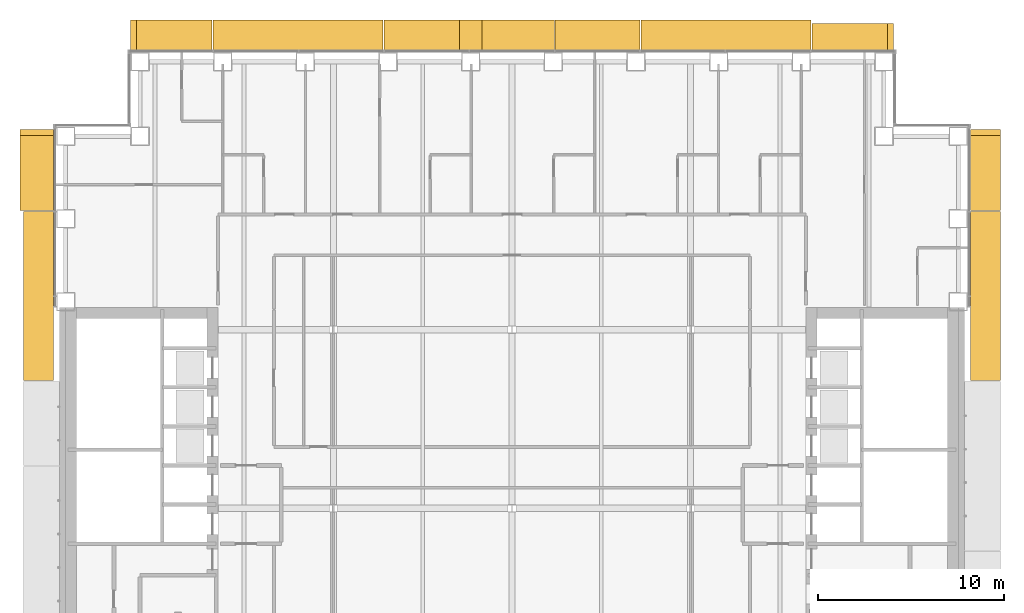
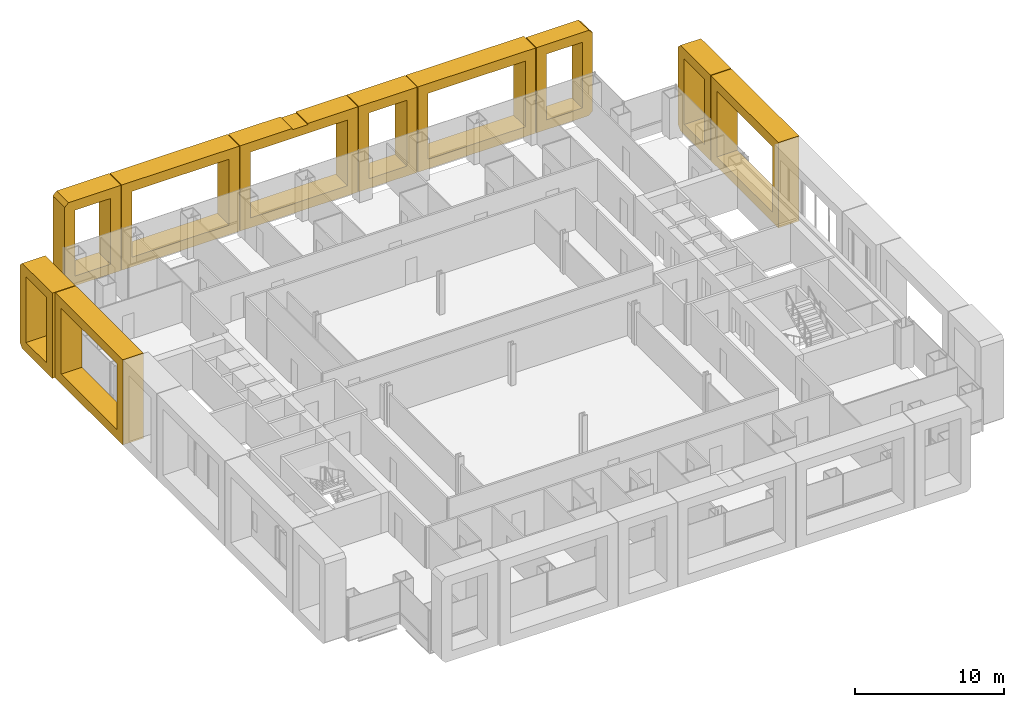
# One storey, part 24 of 25: 10 coverings.
"""IFC4 building model written with IfcOpenShell, lengths in metres."""

from ifc_helpers import new_model, si_unit, direction, frame, origin, place, context, subcontext, project, spatial, polyline, outline, extrude, material, type_object, element, save


model = new_model("IFC4")

# Units and contexts
model_context = context("Model", 3, precision=1e-05, world=origin(), true_north=direction((0.0, 1.0)))
body_context = subcontext(model_context, "Body", "Model", "MODEL_VIEW")
ifc_project = project(units=[si_unit("LENGTHUNIT", "METRE"), si_unit("AREAUNIT", "SQUARE_METRE"), si_unit("VOLUMEUNIT", "CUBIC_METRE"), si_unit("PLANEANGLEUNIT", "RADIAN"), si_unit("MASSUNIT", "GRAM", prefix="KILO")], contexts=[model_context])

# Site, building, storey
site_placement = place(None, origin())
site = spatial("IfcSite", under=ifc_project, at=site_placement, CompositionType="ELEMENT")
building_placement = place(site_placement, origin())
building = spatial("IfcBuilding", under=site, at=building_placement, Name="Cobrizo Arcos Hotel Tower", CompositionType="ELEMENT")
storey_placement = place(building_placement, frame((0.0, 0.0, 46.0)))
storey = spatial("IfcBuildingStorey", under=building, at=storey_placement, Name="L09", CompositionType="ELEMENT", Elevation=46.0)

# Coverings
ifc_material = material(Name="Aluminium 6063-T6 anodised bronze", Category="aluminium")
covering_type_1 = type_object("IfcCoveringType", Name="FIN-F 1400", PredefinedType="CLADDING", material=ifc_material)
covering_1_placement = place(storey_placement, frame((20.5, 24.64990234375, 0.0), z_axis=(0.0, 1.0, 0.0), x_axis=(-1.0, 0.0, 0.0)))
element("IfcCovering", 1, at=covering_1_placement, inside=storey, type_object=covering_type_1, Name="Fin frame 1", PredefinedType="CLADDING", context=body_context, shape_type="SweptSolid", body=[
    extrude(outline(polyline([(0.0, 0.300048828125), (0.300048828125, 0.0), (4.375, 0.0), (4.375, 7.0), (0.300048828125, 7.0), (0.0, 6.699951171875), (0.0, 0.300048828125)]), holes=[polyline([(3.574951171875, 0.800048828125), (0.800048828125, 0.800048828125), (0.800048828125, 6.199951171875), (3.574951171875, 6.199951171875), (3.574951171875, 0.800048828125)])]), origin(), (0.0, 0.0, 1.0), 1.400146484375),
])
covering_type_2 = type_object("IfcCoveringType", Name="FIN-F 1600", PredefinedType="CLADDING", material=ifc_material)
covering_2_placement = place(storey_placement, frame((16.074951171875, 24.64990234375, 0.0), z_axis=(0.0, 1.0, 0.0), x_axis=(-1.0, 0.0, 0.0)))
element("IfcCovering", 2, at=covering_2_placement, inside=storey, type_object=covering_type_2, Name="Fin frame 2", PredefinedType="CLADDING", context=body_context, shape_type="SweptSolid", body=[
    extrude(outline(polyline([(0.0, 7.0), (0.0, 0.0), (9.14990234375, 0.0), (9.14990234375, 7.0), (0.0, 7.0)]), holes=[polyline([(8.35009765625, 0.800048828125), (0.800048828125, 0.800048828125), (0.800048828125, 6.199951171875), (8.35009765625, 6.199951171875), (8.35009765625, 0.800048828125)])]), origin(), (0.0, 0.0, 1.0), 1.60009765625),
])
covering_3_placement = place(storey_placement, frame((6.875, 24.64990234375, 0.0), z_axis=(0.0, 1.0, 0.0), x_axis=(-1.0, 0.0, 0.0)))
element("IfcCovering", 3, at=covering_3_placement, inside=storey, type_object=covering_type_2, Name="Fin frame 3", PredefinedType="CLADDING", context=body_context, shape_type="SweptSolid", body=[
    extrude(outline(polyline([(0.0, 7.0), (0.0, 0.0), (4.550048828125, 0.0), (4.550048828125, 7.0), (0.0, 7.0)]), holes=[polyline([(3.75, 0.800048828125), (0.800048828125, 0.800048828125), (0.800048828125, 6.199951171875), (3.75, 6.199951171875), (3.75, 0.800048828125)])]), origin(), (0.0, 0.0, 1.0), 1.60009765625),
])
covering_4_placement = place(storey_placement, frame((2.27490234375, 24.64990234375, 0.0), z_axis=(0.0, 1.0, 0.0), x_axis=(-1.0, 0.0, 0.0)))
element("IfcCovering", 4, at=covering_4_placement, inside=storey, type_object=covering_type_2, Name="Fin frame 4", PredefinedType="CLADDING", context=body_context, shape_type="SweptSolid", body=[
    extrude(outline(polyline([(9.14990234375, 7.0), (5.09912109375, 7.0), (5.09912109375, 6.89794921875), (3.895263671875, 6.89794921875), (3.895263671875, 7.0), (0.0, 7.0), (0.0, 0.0), (9.14990234375, 0.0), (9.14990234375, 7.0)]), holes=[polyline([(8.35009765625, 0.800048828125), (0.800048828125, 0.800048828125), (0.800048828125, 6.199951171875), (8.35009765625, 6.199951171875), (8.35009765625, 0.800048828125)])]), origin(), (0.0, 0.0, 1.0), 1.60009765625),
])
covering_5_placement = place(storey_placement, frame((-6.925048828125, 24.64990234375, 0.0), z_axis=(0.0, 1.0, 0.0), x_axis=(-1.0, 0.0, 0.0)))
element("IfcCovering", 5, at=covering_5_placement, inside=storey, type_object=covering_type_2, Name="Fin frame 5", PredefinedType="CLADDING", context=body_context, shape_type="SweptSolid", body=[
    extrude(outline(polyline([(0.0, 7.0), (0.0, 0.0), (9.14990234375, 0.0), (9.14990234375, 7.0), (0.0, 7.0)]), holes=[polyline([(8.35009765625, 0.800048828125), (0.800048828125, 0.800048828125), (0.800048828125, 6.199951171875), (8.35009765625, 6.199951171875), (8.35009765625, 0.800048828125)])]), origin(), (0.0, 0.0, 1.0), 1.60009765625),
])
covering_6_placement = place(storey_placement, frame((-16.125, 24.64990234375, 0.0), z_axis=(0.0, 1.0, 0.0), x_axis=(-1.0, 0.0, 0.0)))
element("IfcCovering", 6, at=covering_6_placement, inside=storey, type_object=covering_type_2, Name="Fin frame 6", PredefinedType="CLADDING", context=body_context, shape_type="SweptSolid", body=[
    extrude(outline(polyline([(0.0, 7.0), (0.0, 0.0), (4.074951171875, 0.0), (4.375, 0.300048828125), (4.375, 6.699951171875), (4.074951171875, 7.0), (0.0, 7.0)]), holes=[polyline([(3.574951171875, 0.800048828125), (0.800048828125, 0.800048828125), (0.800048828125, 6.199951171875), (3.574951171875, 6.199951171875), (3.574951171875, 0.800048828125)])]), origin(), (0.0, 0.0, 1.0), 1.60009765625),
])
covering_7_placement = place(storey_placement, frame((24.64990234375, 6.875, 0.0), z_axis=(1.0, 0.0, 0.0), x_axis=(0.0, 1.0, 0.0)))
element("IfcCovering", 7, at=covering_7_placement, inside=storey, type_object=covering_type_2, Name="Fin frame 25", PredefinedType="CLADDING", context=body_context, shape_type="SweptSolid", body=[
    extrude(outline(polyline([(0.0, 7.0), (0.0, 0.0), (9.083251953125, 0.0), (9.083251953125, 7.0), (0.0, 7.0)]), holes=[polyline([(8.283203125, 0.800048828125), (0.800048828125, 0.800048828125), (0.800048828125, 6.199951171875), (8.283203125, 6.199951171875), (8.283203125, 0.800048828125)])]), origin(), (0.0, 0.0, 1.0), 1.60009765625),
])
covering_8_placement = place(storey_placement, frame((24.64990234375, 16.00830078125, 0.0), z_axis=(1.0, 0.0, 0.0), x_axis=(0.0, 1.0, 0.0)))
element("IfcCovering", 8, at=covering_8_placement, inside=storey, type_object=covering_type_2, Name="Fin frame 26", PredefinedType="CLADDING", context=body_context, shape_type="SweptSolid", body=[
    extrude(outline(polyline([(0.0, 7.0), (0.0, 0.0), (4.041748046875, 0.0), (4.341796875, 0.300048828125), (4.341796875, 6.699951171875), (4.041748046875, 7.0), (0.0, 7.0)]), holes=[polyline([(3.541748046875, 0.800048828125), (0.800048828125, 0.800048828125), (0.800048828125, 6.199951171875), (3.541748046875, 6.199951171875), (3.541748046875, 0.800048828125)])]), origin(), (0.0, 0.0, 1.0), 1.60009765625),
])
covering_9_placement = place(storey_placement, frame((-24.64990234375, 15.958251953125, 0.0), z_axis=(-1.0, 0.0, 0.0), x_axis=(0.0, -1.0, 0.0)))
element("IfcCovering", 9, at=covering_9_placement, inside=storey, type_object=covering_type_2, Name="Fin frame 64", PredefinedType="CLADDING", context=body_context, shape_type="SweptSolid", body=[
    extrude(outline(polyline([(0.0, 7.0), (0.0, 0.0), (9.083251953125, 0.0), (9.083251953125, 7.0), (0.0, 7.0)]), holes=[polyline([(8.283203125, 0.800048828125), (0.800048828125, 0.800048828125), (0.800048828125, 6.199951171875), (8.283203125, 6.199951171875), (8.283203125, 0.800048828125)])]), origin(), (0.0, 0.0, 1.0), 1.60009765625),
])
covering_type_3 = type_object("IfcCoveringType", Name="FIN-F 1800", PredefinedType="CLADDING", material=ifc_material)
covering_10_placement = place(storey_placement, frame((-24.64990234375, 20.35009765625, 0.0), z_axis=(-1.0, 0.0, 0.0), x_axis=(0.0, -1.0, 0.0)))
element("IfcCovering", 10, at=covering_10_placement, inside=storey, type_object=covering_type_3, Name="Fin frame 63", PredefinedType="CLADDING", context=body_context, shape_type="SweptSolid", body=[
    extrude(outline(polyline([(0.0, 0.300048828125), (0.300048828125, 0.0), (4.341796875, 0.0), (4.341796875, 7.0), (0.300048828125, 7.0), (0.0, 6.699951171875), (0.0, 0.300048828125)]), holes=[polyline([(3.541748046875, 0.800048828125), (0.800048828125, 0.800048828125), (0.800048828125, 6.199951171875), (3.541748046875, 6.199951171875), (3.541748046875, 0.800048828125)])]), origin(), (0.0, 0.0, 1.0), 1.800048828125),
])

save(model, "model.ifc")
